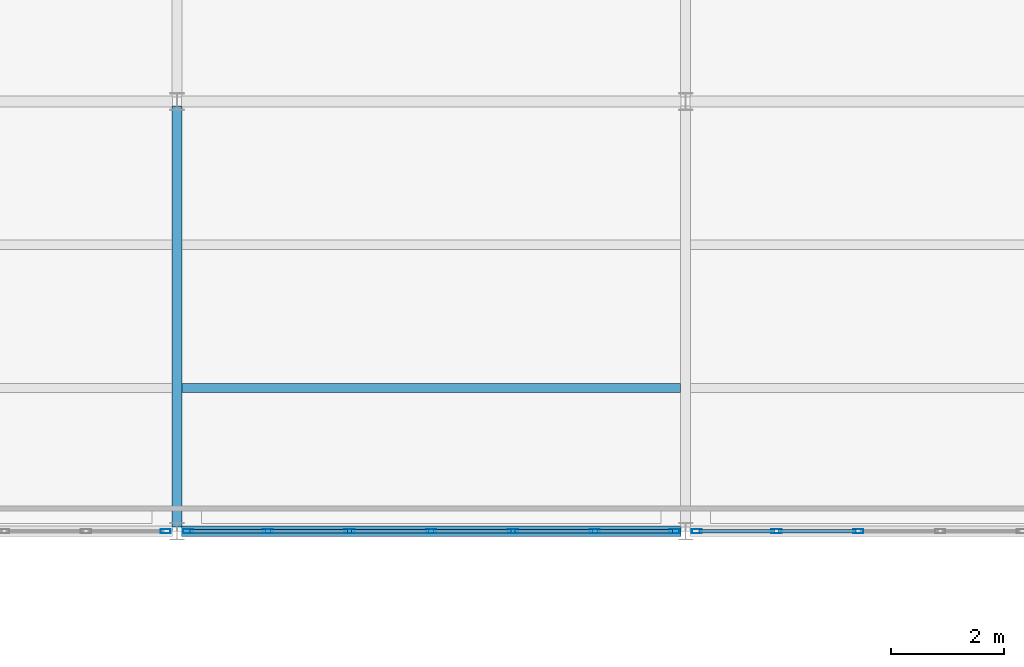
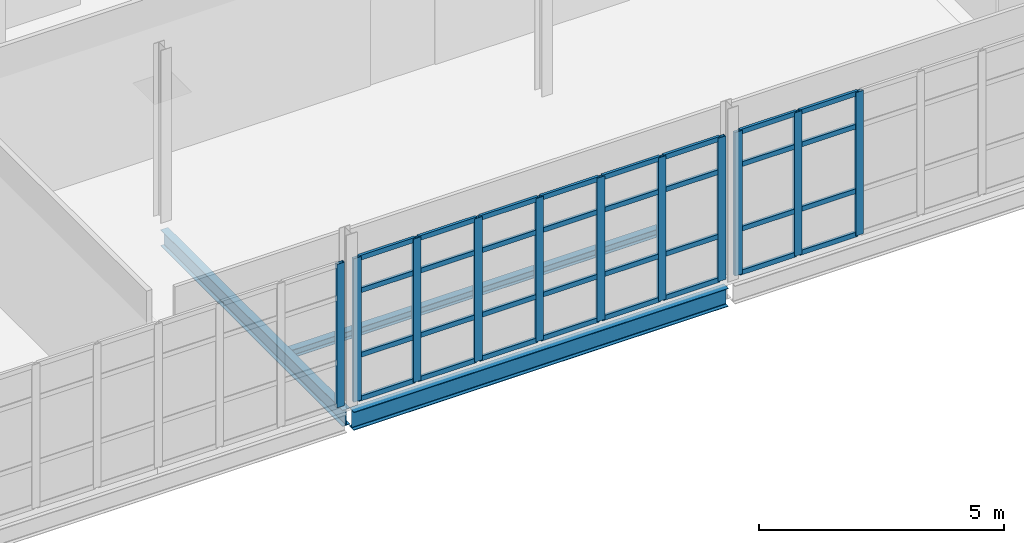
# One storey, part 86 of 174: 43 members, 3 beams, 3 elements without a shape of their own.
"""IFC4 building model written with IfcOpenShell, lengths in metres."""

from ifc_helpers import new_model, si_unit, direction, frame, origin, origin_2d, place, context, subcontext, project, spatial, hollow_rectangle, i_section, extrude, material, material_profile, profile_set, type_object, element, aggregate, save


model = new_model("IFC4")

# Units and contexts
model_context = context("Model", 3, precision=1e-05, world=origin(), true_north=direction((0.0, 1.0)))
body_context = subcontext(model_context, "Body", "Model", "MODEL_VIEW")
ifc_project = project(units=[si_unit("LENGTHUNIT", "METRE"), si_unit("AREAUNIT", "SQUARE_METRE"), si_unit("VOLUMEUNIT", "CUBIC_METRE"), si_unit("PLANEANGLEUNIT", "RADIAN"), si_unit("MASSUNIT", "GRAM", prefix="KILO")], contexts=[model_context])

# Site, building, storey
site_placement = place(None, origin())
site = spatial("IfcSite", under=ifc_project, at=site_placement, CompositionType="ELEMENT")
building_placement = place(site_placement, origin())
building = spatial("IfcBuilding", under=site, at=building_placement, Name="Caisbarro Railhouse Central Library", CompositionType="ELEMENT")
storey_placement = place(building_placement, frame((0.0, 0.0, 5.0400390625)))
storey = spatial("IfcBuildingStorey", under=building, at=storey_placement, Name="L01", CompositionType="ELEMENT", Elevation=5.0400390625)

# Beams
ifc_material_1 = material(Name="Steel ASTM A572 Grade 50", Category="steel")
ifc_material_profile_1 = material_profile(ifc_material_1, i_section(OverallWidth=0.177978515625, OverallDepth=0.406982421875, WebThickness=0.0078125, FlangeThickness=0.0126953125, FilletRadius=0.01611328125, at=origin_2d()), Name="W410X60.0")
ifc_profile_set_1 = profile_set([ifc_material_profile_1], Name="Steel ASTM A572 Grade 50")
beam_type_1 = type_object("IfcBeamType", Name="BM-G10", PredefinedType="BEAM", material=ifc_profile_set_1)
beam_1_placement = place(storey_placement, frame((81.0, 83.679931640625, -0.403564453125), z_axis=(0.0, 1.0, 0.0), x_axis=(-1.0, 0.0, 0.0)))
element("IfcBeam", 1, at=beam_1_placement, inside=storey, type_object=beam_type_1, Name="G10 beam L01 #1196", PredefinedType="BEAM", context=body_context, shape_type="SweptSolid", body=[
    extrude(i_section(OverallWidth=0.177978515625, OverallDepth=0.406982421875, WebThickness=0.0078125, FlangeThickness=0.0126953125, FilletRadius=0.01611328125, at=origin_2d()), origin(), (0.0, 0.0, 1.0), 7.440185546875),
])
ifc_material_profile_2 = material_profile(ifc_material_1, i_section(OverallWidth=0.1650390625, OverallDepth=0.200927734375, WebThickness=0.006103515625, FlangeThickness=0.01025390625, FilletRadius=0.010009765625, at=origin_2d()), Name="W200X35.9")
ifc_profile_set_2 = profile_set([ifc_material_profile_2], Name="Steel ASTM A572 Grade 50")
beam_type_2 = type_object("IfcBeamType", Name="BM-J06", PredefinedType="JOIST", material=ifc_profile_set_2)
beam_2_placement = place(storey_placement, frame((81.089111328125, 86.13330078125, -0.300537109375), z_axis=(1.0, 0.0, 0.0), x_axis=(0.0, 1.0, 0.0)))
element("IfcBeam", 2, at=beam_2_placement, inside=storey, type_object=beam_type_2, Name="J06 beam L01 #1232", PredefinedType="JOIST", context=body_context, shape_type="SweptSolid", body=[
    extrude(i_section(OverallWidth=0.1650390625, OverallDepth=0.200927734375, WebThickness=0.006103515625, FlangeThickness=0.01025390625, FilletRadius=0.010009765625, at=origin_2d()), origin(), (0.0, 0.0, 1.0), 8.82177734375),
])
ifc_material_profile_3 = material_profile(ifc_material_1, i_section(OverallWidth=0.18994140625, OverallDepth=0.45703125, WebThickness=0.009033203125, FlangeThickness=0.014404296875, FilletRadius=0.01806640625, at=origin_2d()), Name="W460X74.0")
ifc_profile_set_3 = profile_set([ifc_material_profile_3], Name="Steel ASTM A572 Grade 50")
beam_type_3 = type_object("IfcBeamType", Name="BM-SP01", PredefinedType="SPANDREL", material=ifc_profile_set_3)
beam_3_placement = place(storey_placement, frame((81.080078125, 83.60009765625, -0.428466796875), z_axis=(1.0, 0.0, 0.0), x_axis=(0.0, 1.0, 0.0)))
element("IfcBeam", 3, at=beam_3_placement, inside=storey, type_object=beam_type_3, Name="SP01 beam L01 #1162", PredefinedType="SPANDREL", context=body_context, shape_type="SweptSolid", body=[
    extrude(i_section(OverallWidth=0.18994140625, OverallDepth=0.45703125, WebThickness=0.009033203125, FlangeThickness=0.014404296875, FilletRadius=0.01806640625, at=origin_2d()), origin(), (0.0, 0.0, 1.0), 8.83984375),
])

# Curtain wall, member
ifc_material_2 = material(Name="Anodised architectural aluminium", Category="aluminium")
curtain_wall_type = type_object("IfcCurtainWallType", Name="CW-CW02", PredefinedType="NOTDEFINED", material=ifc_material_2)
curtain_wall_1_placement = place(storey_placement, origin())
curtain_wall_1 = element("IfcCurtainWall", 4, at=curtain_wall_1_placement, inside=storey, type_object=curtain_wall_type, Name="CW02 curtain wall L01 #174", PredefinedType="NOTDEFINED")
ifc_material_profile_4 = material_profile(ifc_material_2, hollow_rectangle(XDim=0.074951171875, YDim=0.179931640625, WallThickness=0.00439453125, at=origin_2d()), Name="ALU-MUL-75X180")
ifc_profile_set_4 = profile_set([ifc_material_profile_4], Name="Anodised architectural aluminium")
member_type_1 = type_object("IfcMemberType", Name="CWM-M01", PredefinedType="MULLION", material=ifc_profile_set_4)
member_1_placement = place(storey_placement, frame((80.802490234375, 83.60009765625, 0.0), z_axis=(0.0, 0.0, 1.0), x_axis=(0.0, 1.0, 0.0)))
member_1 = element("IfcMember", 5, at=member_1_placement, type_object=member_type_1, Name="CW02 mullion 7", PredefinedType="MULLION", context=body_context, shape_type="SweptSolid", body=[
    extrude(hollow_rectangle(XDim=0.074951171875, YDim=0.179931640625, WallThickness=0.00439453125, at=origin_2d()), origin(), (0.0, 0.0, 1.0), 3.580078125),
])
aggregate(curtain_wall_1, [member_1])

# Curtain wall, members
curtain_wall_2_placement = place(storey_placement, origin())
curtain_wall_2 = element("IfcCurtainWall", 6, at=curtain_wall_2_placement, inside=storey, type_object=curtain_wall_type, Name="CW02 curtain wall L01 #176", PredefinedType="NOTDEFINED")
member_2_placement = place(storey_placement, frame((81.197509765625, 83.60009765625, 0.0), z_axis=(0.0, 0.0, 1.0), x_axis=(0.0, 1.0, 0.0)))
member_2 = element("IfcMember", 7, at=member_2_placement, type_object=member_type_1, Name="CW02 mullion 1", PredefinedType="MULLION", context=body_context, shape_type="SweptSolid", body=[
    extrude(hollow_rectangle(XDim=0.074951171875, YDim=0.179931640625, WallThickness=0.00439453125, at=origin_2d()), origin(), (0.0, 0.0, 1.0), 3.580078125),
])
member_3_placement = place(storey_placement, frame((82.606689453125, 83.60009765625, 0.0), z_axis=(0.0, 0.0, 1.0), x_axis=(0.0, 1.0, 0.0)))
member_3 = element("IfcMember", 8, at=member_3_placement, type_object=member_type_1, Name="CW02 mullion 2", PredefinedType="MULLION", context=body_context, shape_type="SweptSolid", body=[
    extrude(hollow_rectangle(XDim=0.074951171875, YDim=0.179931640625, WallThickness=0.00439453125, at=origin_2d()), origin(), (0.0, 0.0, 1.0), 3.580078125),
])
member_4_placement = place(storey_placement, frame((84.05322265625, 83.60009765625, 0.0), z_axis=(0.0, 0.0, 1.0), x_axis=(0.0, 1.0, 0.0)))
member_4 = element("IfcMember", 9, at=member_4_placement, type_object=member_type_1, Name="CW02 mullion 3", PredefinedType="MULLION", context=body_context, shape_type="SweptSolid", body=[
    extrude(hollow_rectangle(XDim=0.074951171875, YDim=0.179931640625, WallThickness=0.00439453125, at=origin_2d()), origin(), (0.0, 0.0, 1.0), 3.580078125),
])
member_5_placement = place(storey_placement, frame((85.5, 83.60009765625, 0.0), z_axis=(0.0, 0.0, 1.0), x_axis=(0.0, 1.0, 0.0)))
member_5 = element("IfcMember", 10, at=member_5_placement, type_object=member_type_1, Name="CW02 mullion 4", PredefinedType="MULLION", context=body_context, shape_type="SweptSolid", body=[
    extrude(hollow_rectangle(XDim=0.074951171875, YDim=0.179931640625, WallThickness=0.00439453125, at=origin_2d()), origin(), (0.0, 0.0, 1.0), 3.580078125),
])
member_6_placement = place(storey_placement, frame((86.94677734375, 83.60009765625, 0.0), z_axis=(0.0, 0.0, 1.0), x_axis=(0.0, 1.0, 0.0)))
member_6 = element("IfcMember", 11, at=member_6_placement, type_object=member_type_1, Name="CW02 mullion 5", PredefinedType="MULLION", context=body_context, shape_type="SweptSolid", body=[
    extrude(hollow_rectangle(XDim=0.074951171875, YDim=0.179931640625, WallThickness=0.00439453125, at=origin_2d()), origin(), (0.0, 0.0, 1.0), 3.580078125),
])
member_7_placement = place(storey_placement, frame((88.393310546875, 83.60009765625, 0.0), z_axis=(0.0, 0.0, 1.0), x_axis=(0.0, 1.0, 0.0)))
member_7 = element("IfcMember", 12, at=member_7_placement, type_object=member_type_1, Name="CW02 mullion 6", PredefinedType="MULLION", context=body_context, shape_type="SweptSolid", body=[
    extrude(hollow_rectangle(XDim=0.074951171875, YDim=0.179931640625, WallThickness=0.00439453125, at=origin_2d()), origin(), (0.0, 0.0, 1.0), 3.580078125),
])
member_8_placement = place(storey_placement, frame((89.802490234375, 83.60009765625, 0.0), z_axis=(0.0, 0.0, 1.0), x_axis=(0.0, 1.0, 0.0)))
member_8 = element("IfcMember", 13, at=member_8_placement, type_object=member_type_1, Name="CW02 mullion 7", PredefinedType="MULLION", context=body_context, shape_type="SweptSolid", body=[
    extrude(hollow_rectangle(XDim=0.074951171875, YDim=0.179931640625, WallThickness=0.00439453125, at=origin_2d()), origin(), (0.0, 0.0, 1.0), 3.580078125),
])

curtain_wall_3_placement = place(storey_placement, origin())
curtain_wall_3 = element("IfcCurtainWall", 14, at=curtain_wall_3_placement, inside=storey, type_object=curtain_wall_type, Name="CW02 curtain wall L01 #178", PredefinedType="NOTDEFINED")
member_9_placement = place(storey_placement, frame((90.197509765625, 83.60009765625, 0.0), z_axis=(0.0, 0.0, 1.0), x_axis=(0.0, 1.0, 0.0)))
member_9 = element("IfcMember", 15, at=member_9_placement, type_object=member_type_1, Name="CW02 mullion 1", PredefinedType="MULLION", context=body_context, shape_type="SweptSolid", body=[
    extrude(hollow_rectangle(XDim=0.074951171875, YDim=0.179931640625, WallThickness=0.00439453125, at=origin_2d()), origin(), (0.0, 0.0, 1.0), 3.580078125),
])
member_10_placement = place(storey_placement, frame((91.606689453125, 83.60009765625, 0.0), z_axis=(0.0, 0.0, 1.0), x_axis=(0.0, 1.0, 0.0)))
member_10 = element("IfcMember", 16, at=member_10_placement, type_object=member_type_1, Name="CW02 mullion 2", PredefinedType="MULLION", context=body_context, shape_type="SweptSolid", body=[
    extrude(hollow_rectangle(XDim=0.074951171875, YDim=0.179931640625, WallThickness=0.00439453125, at=origin_2d()), origin(), (0.0, 0.0, 1.0), 3.580078125),
])
member_11_placement = place(storey_placement, frame((93.05322265625, 83.60009765625, 0.0), z_axis=(0.0, 0.0, 1.0), x_axis=(0.0, 1.0, 0.0)))
member_11 = element("IfcMember", 17, at=member_11_placement, type_object=member_type_1, Name="CW02 mullion 3", PredefinedType="MULLION", context=body_context, shape_type="SweptSolid", body=[
    extrude(hollow_rectangle(XDim=0.074951171875, YDim=0.179931640625, WallThickness=0.00439453125, at=origin_2d()), origin(), (0.0, 0.0, 1.0), 3.580078125),
])

# Member
ifc_material_profile_5 = material_profile(ifc_material_2, hollow_rectangle(XDim=0.06494140625, YDim=0.1201171875, WallThickness=0.00341796875, at=origin_2d()), Name="ALU-TRN-65X120")
ifc_profile_set_5 = profile_set([ifc_material_profile_5], Name="Anodised architectural aluminium")
member_type_2 = type_object("IfcMemberType", Name="CWT-T02", PredefinedType="USERDEFINED", material=ifc_profile_set_5)
member_12_placement = place(storey_placement, frame((81.235107421875, 83.60009765625, 0.032470703125), z_axis=(1.0, 0.0, 0.0), x_axis=(0.0, 1.0, 0.0)))
member_12 = element("IfcMember", 18, at=member_12_placement, type_object=member_type_2, Name="CW02 transom 1.1", ObjectType="TRANSOM", PredefinedType="USERDEFINED", context=body_context, shape_type="SweptSolid", body=[
    extrude(hollow_rectangle(XDim=0.06494140625, YDim=0.1201171875, WallThickness=0.00341796875, at=origin_2d()), origin(), (0.0, 0.0, 1.0), 1.333984375),
])

member_13_placement = place(storey_placement, frame((81.235107421875, 83.60009765625, 1.119873046875), z_axis=(1.0, 0.0, 0.0), x_axis=(0.0, 1.0, 0.0)))
member_13 = element("IfcMember", 19, at=member_13_placement, type_object=member_type_2, Name="CW02 transom 1.2", ObjectType="TRANSOM", PredefinedType="USERDEFINED", context=body_context, shape_type="SweptSolid", body=[
    extrude(hollow_rectangle(XDim=0.06494140625, YDim=0.1201171875, WallThickness=0.00341796875, at=origin_2d()), origin(), (0.0, 0.0, 1.0), 1.333984375),
])

member_14_placement = place(storey_placement, frame((81.235107421875, 83.60009765625, 2.72998046875), z_axis=(1.0, 0.0, 0.0), x_axis=(0.0, 1.0, 0.0)))
member_14 = element("IfcMember", 20, at=member_14_placement, type_object=member_type_2, Name="CW02 transom 1.3", ObjectType="TRANSOM", PredefinedType="USERDEFINED", context=body_context, shape_type="SweptSolid", body=[
    extrude(hollow_rectangle(XDim=0.06494140625, YDim=0.1201171875, WallThickness=0.00341796875, at=origin_2d()), origin(), (0.0, 0.0, 1.0), 1.333984375),
])

member_15_placement = place(storey_placement, frame((81.235107421875, 83.60009765625, 3.54736328125), z_axis=(1.0, 0.0, 0.0), x_axis=(0.0, 1.0, 0.0)))
member_15 = element("IfcMember", 21, at=member_15_placement, type_object=member_type_2, Name="CW02 transom 1.4", ObjectType="TRANSOM", PredefinedType="USERDEFINED", context=body_context, shape_type="SweptSolid", body=[
    extrude(hollow_rectangle(XDim=0.06494140625, YDim=0.1201171875, WallThickness=0.00341796875, at=origin_2d()), origin(), (0.0, 0.0, 1.0), 1.333984375),
])

member_16_placement = place(storey_placement, frame((82.644287109375, 83.60009765625, 0.032470703125), z_axis=(1.0, 0.0, 0.0), x_axis=(0.0, 1.0, 0.0)))
member_16 = element("IfcMember", 22, at=member_16_placement, type_object=member_type_2, Name="CW02 transom 2.1", ObjectType="TRANSOM", PredefinedType="USERDEFINED", context=body_context, shape_type="SweptSolid", body=[
    extrude(hollow_rectangle(XDim=0.06494140625, YDim=0.1201171875, WallThickness=0.00341796875, at=origin_2d()), origin(), (0.0, 0.0, 1.0), 1.37158203125),
])

member_17_placement = place(storey_placement, frame((82.644287109375, 83.60009765625, 1.119873046875), z_axis=(1.0, 0.0, 0.0), x_axis=(0.0, 1.0, 0.0)))
member_17 = element("IfcMember", 23, at=member_17_placement, type_object=member_type_2, Name="CW02 transom 2.2", ObjectType="TRANSOM", PredefinedType="USERDEFINED", context=body_context, shape_type="SweptSolid", body=[
    extrude(hollow_rectangle(XDim=0.06494140625, YDim=0.1201171875, WallThickness=0.00341796875, at=origin_2d()), origin(), (0.0, 0.0, 1.0), 1.37158203125),
])

member_18_placement = place(storey_placement, frame((82.644287109375, 83.60009765625, 2.72998046875), z_axis=(1.0, 0.0, 0.0), x_axis=(0.0, 1.0, 0.0)))
member_18 = element("IfcMember", 24, at=member_18_placement, type_object=member_type_2, Name="CW02 transom 2.3", ObjectType="TRANSOM", PredefinedType="USERDEFINED", context=body_context, shape_type="SweptSolid", body=[
    extrude(hollow_rectangle(XDim=0.06494140625, YDim=0.1201171875, WallThickness=0.00341796875, at=origin_2d()), origin(), (0.0, 0.0, 1.0), 1.37158203125),
])

member_19_placement = place(storey_placement, frame((82.644287109375, 83.60009765625, 3.54736328125), z_axis=(1.0, 0.0, 0.0), x_axis=(0.0, 1.0, 0.0)))
member_19 = element("IfcMember", 25, at=member_19_placement, type_object=member_type_2, Name="CW02 transom 2.4", ObjectType="TRANSOM", PredefinedType="USERDEFINED", context=body_context, shape_type="SweptSolid", body=[
    extrude(hollow_rectangle(XDim=0.06494140625, YDim=0.1201171875, WallThickness=0.00341796875, at=origin_2d()), origin(), (0.0, 0.0, 1.0), 1.37158203125),
])

member_20_placement = place(storey_placement, frame((84.0908203125, 83.60009765625, 0.032470703125), z_axis=(1.0, 0.0, 0.0), x_axis=(0.0, 1.0, 0.0)))
member_20 = element("IfcMember", 26, at=member_20_placement, type_object=member_type_2, Name="CW02 transom 3.1", ObjectType="TRANSOM", PredefinedType="USERDEFINED", context=body_context, shape_type="SweptSolid", body=[
    extrude(hollow_rectangle(XDim=0.06494140625, YDim=0.1201171875, WallThickness=0.00341796875, at=origin_2d()), origin(), (0.0, 0.0, 1.0), 1.37158203125),
])

member_21_placement = place(storey_placement, frame((84.0908203125, 83.60009765625, 1.119873046875), z_axis=(1.0, 0.0, 0.0), x_axis=(0.0, 1.0, 0.0)))
member_21 = element("IfcMember", 27, at=member_21_placement, type_object=member_type_2, Name="CW02 transom 3.2", ObjectType="TRANSOM", PredefinedType="USERDEFINED", context=body_context, shape_type="SweptSolid", body=[
    extrude(hollow_rectangle(XDim=0.06494140625, YDim=0.1201171875, WallThickness=0.00341796875, at=origin_2d()), origin(), (0.0, 0.0, 1.0), 1.37158203125),
])

member_22_placement = place(storey_placement, frame((84.0908203125, 83.60009765625, 2.72998046875), z_axis=(1.0, 0.0, 0.0), x_axis=(0.0, 1.0, 0.0)))
member_22 = element("IfcMember", 28, at=member_22_placement, type_object=member_type_2, Name="CW02 transom 3.3", ObjectType="TRANSOM", PredefinedType="USERDEFINED", context=body_context, shape_type="SweptSolid", body=[
    extrude(hollow_rectangle(XDim=0.06494140625, YDim=0.1201171875, WallThickness=0.00341796875, at=origin_2d()), origin(), (0.0, 0.0, 1.0), 1.37158203125),
])

member_23_placement = place(storey_placement, frame((84.0908203125, 83.60009765625, 3.54736328125), z_axis=(1.0, 0.0, 0.0), x_axis=(0.0, 1.0, 0.0)))
member_23 = element("IfcMember", 29, at=member_23_placement, type_object=member_type_2, Name="CW02 transom 3.4", ObjectType="TRANSOM", PredefinedType="USERDEFINED", context=body_context, shape_type="SweptSolid", body=[
    extrude(hollow_rectangle(XDim=0.06494140625, YDim=0.1201171875, WallThickness=0.00341796875, at=origin_2d()), origin(), (0.0, 0.0, 1.0), 1.37158203125),
])

member_24_placement = place(storey_placement, frame((85.53759765625, 83.60009765625, 0.032470703125), z_axis=(1.0, 0.0, 0.0), x_axis=(0.0, 1.0, 0.0)))
member_24 = element("IfcMember", 30, at=member_24_placement, type_object=member_type_2, Name="CW02 transom 4.1", ObjectType="TRANSOM", PredefinedType="USERDEFINED", context=body_context, shape_type="SweptSolid", body=[
    extrude(hollow_rectangle(XDim=0.06494140625, YDim=0.1201171875, WallThickness=0.00341796875, at=origin_2d()), origin(), (0.0, 0.0, 1.0), 1.37158203125),
])

member_25_placement = place(storey_placement, frame((85.53759765625, 83.60009765625, 1.119873046875), z_axis=(1.0, 0.0, 0.0), x_axis=(0.0, 1.0, 0.0)))
member_25 = element("IfcMember", 31, at=member_25_placement, type_object=member_type_2, Name="CW02 transom 4.2", ObjectType="TRANSOM", PredefinedType="USERDEFINED", context=body_context, shape_type="SweptSolid", body=[
    extrude(hollow_rectangle(XDim=0.06494140625, YDim=0.1201171875, WallThickness=0.00341796875, at=origin_2d()), origin(), (0.0, 0.0, 1.0), 1.37158203125),
])

member_26_placement = place(storey_placement, frame((85.53759765625, 83.60009765625, 2.72998046875), z_axis=(1.0, 0.0, 0.0), x_axis=(0.0, 1.0, 0.0)))
member_26 = element("IfcMember", 32, at=member_26_placement, type_object=member_type_2, Name="CW02 transom 4.3", ObjectType="TRANSOM", PredefinedType="USERDEFINED", context=body_context, shape_type="SweptSolid", body=[
    extrude(hollow_rectangle(XDim=0.06494140625, YDim=0.1201171875, WallThickness=0.00341796875, at=origin_2d()), origin(), (0.0, 0.0, 1.0), 1.37158203125),
])

member_27_placement = place(storey_placement, frame((85.53759765625, 83.60009765625, 3.54736328125), z_axis=(1.0, 0.0, 0.0), x_axis=(0.0, 1.0, 0.0)))
member_27 = element("IfcMember", 33, at=member_27_placement, type_object=member_type_2, Name="CW02 transom 4.4", ObjectType="TRANSOM", PredefinedType="USERDEFINED", context=body_context, shape_type="SweptSolid", body=[
    extrude(hollow_rectangle(XDim=0.06494140625, YDim=0.1201171875, WallThickness=0.00341796875, at=origin_2d()), origin(), (0.0, 0.0, 1.0), 1.37158203125),
])

member_28_placement = place(storey_placement, frame((86.984130859375, 83.60009765625, 0.032470703125), z_axis=(1.0, 0.0, 0.0), x_axis=(0.0, 1.0, 0.0)))
member_28 = element("IfcMember", 34, at=member_28_placement, type_object=member_type_2, Name="CW02 transom 5.1", ObjectType="TRANSOM", PredefinedType="USERDEFINED", context=body_context, shape_type="SweptSolid", body=[
    extrude(hollow_rectangle(XDim=0.06494140625, YDim=0.1201171875, WallThickness=0.00341796875, at=origin_2d()), origin(), (0.0, 0.0, 1.0), 1.37158203125),
])

member_29_placement = place(storey_placement, frame((86.984130859375, 83.60009765625, 1.119873046875), z_axis=(1.0, 0.0, 0.0), x_axis=(0.0, 1.0, 0.0)))
member_29 = element("IfcMember", 35, at=member_29_placement, type_object=member_type_2, Name="CW02 transom 5.2", ObjectType="TRANSOM", PredefinedType="USERDEFINED", context=body_context, shape_type="SweptSolid", body=[
    extrude(hollow_rectangle(XDim=0.06494140625, YDim=0.1201171875, WallThickness=0.00341796875, at=origin_2d()), origin(), (0.0, 0.0, 1.0), 1.37158203125),
])

member_30_placement = place(storey_placement, frame((86.984130859375, 83.60009765625, 2.72998046875), z_axis=(1.0, 0.0, 0.0), x_axis=(0.0, 1.0, 0.0)))
member_30 = element("IfcMember", 36, at=member_30_placement, type_object=member_type_2, Name="CW02 transom 5.3", ObjectType="TRANSOM", PredefinedType="USERDEFINED", context=body_context, shape_type="SweptSolid", body=[
    extrude(hollow_rectangle(XDim=0.06494140625, YDim=0.1201171875, WallThickness=0.00341796875, at=origin_2d()), origin(), (0.0, 0.0, 1.0), 1.37158203125),
])

member_31_placement = place(storey_placement, frame((86.984130859375, 83.60009765625, 3.54736328125), z_axis=(1.0, 0.0, 0.0), x_axis=(0.0, 1.0, 0.0)))
member_31 = element("IfcMember", 37, at=member_31_placement, type_object=member_type_2, Name="CW02 transom 5.4", ObjectType="TRANSOM", PredefinedType="USERDEFINED", context=body_context, shape_type="SweptSolid", body=[
    extrude(hollow_rectangle(XDim=0.06494140625, YDim=0.1201171875, WallThickness=0.00341796875, at=origin_2d()), origin(), (0.0, 0.0, 1.0), 1.37158203125),
])

member_32_placement = place(storey_placement, frame((88.430908203125, 83.60009765625, 0.032470703125), z_axis=(1.0, 0.0, 0.0), x_axis=(0.0, 1.0, 0.0)))
member_32 = element("IfcMember", 38, at=member_32_placement, type_object=member_type_2, Name="CW02 transom 6.1", ObjectType="TRANSOM", PredefinedType="USERDEFINED", context=body_context, shape_type="SweptSolid", body=[
    extrude(hollow_rectangle(XDim=0.06494140625, YDim=0.1201171875, WallThickness=0.00341796875, at=origin_2d()), origin(), (0.0, 0.0, 1.0), 1.333984375),
])

member_33_placement = place(storey_placement, frame((88.430908203125, 83.60009765625, 1.119873046875), z_axis=(1.0, 0.0, 0.0), x_axis=(0.0, 1.0, 0.0)))
member_33 = element("IfcMember", 39, at=member_33_placement, type_object=member_type_2, Name="CW02 transom 6.2", ObjectType="TRANSOM", PredefinedType="USERDEFINED", context=body_context, shape_type="SweptSolid", body=[
    extrude(hollow_rectangle(XDim=0.06494140625, YDim=0.1201171875, WallThickness=0.00341796875, at=origin_2d()), origin(), (0.0, 0.0, 1.0), 1.333984375),
])

member_34_placement = place(storey_placement, frame((88.430908203125, 83.60009765625, 2.72998046875), z_axis=(1.0, 0.0, 0.0), x_axis=(0.0, 1.0, 0.0)))
member_34 = element("IfcMember", 40, at=member_34_placement, type_object=member_type_2, Name="CW02 transom 6.3", ObjectType="TRANSOM", PredefinedType="USERDEFINED", context=body_context, shape_type="SweptSolid", body=[
    extrude(hollow_rectangle(XDim=0.06494140625, YDim=0.1201171875, WallThickness=0.00341796875, at=origin_2d()), origin(), (0.0, 0.0, 1.0), 1.333984375),
])

member_35_placement = place(storey_placement, frame((88.430908203125, 83.60009765625, 3.54736328125), z_axis=(1.0, 0.0, 0.0), x_axis=(0.0, 1.0, 0.0)))
member_35 = element("IfcMember", 41, at=member_35_placement, type_object=member_type_2, Name="CW02 transom 6.4", ObjectType="TRANSOM", PredefinedType="USERDEFINED", context=body_context, shape_type="SweptSolid", body=[
    extrude(hollow_rectangle(XDim=0.06494140625, YDim=0.1201171875, WallThickness=0.00341796875, at=origin_2d()), origin(), (0.0, 0.0, 1.0), 1.333984375),
])

aggregate(curtain_wall_2, [member_2, member_3, member_4, member_5, member_6, member_7, member_8, member_12, member_13, member_14, member_15, member_16, member_17, member_18, member_19, member_20, member_21, member_22, member_23, member_24, member_25, member_26, member_27, member_28, member_29, member_30, member_31, member_32, member_33, member_34, member_35])

member_36_placement = place(storey_placement, frame((90.235107421875, 83.60009765625, 0.032470703125), z_axis=(1.0, 0.0, 0.0), x_axis=(0.0, 1.0, 0.0)))
member_36 = element("IfcMember", 42, at=member_36_placement, type_object=member_type_2, Name="CW02 transom 1.1", ObjectType="TRANSOM", PredefinedType="USERDEFINED", context=body_context, shape_type="SweptSolid", body=[
    extrude(hollow_rectangle(XDim=0.06494140625, YDim=0.1201171875, WallThickness=0.00341796875, at=origin_2d()), origin(), (0.0, 0.0, 1.0), 1.333984375),
])

member_37_placement = place(storey_placement, frame((90.235107421875, 83.60009765625, 1.119873046875), z_axis=(1.0, 0.0, 0.0), x_axis=(0.0, 1.0, 0.0)))
member_37 = element("IfcMember", 43, at=member_37_placement, type_object=member_type_2, Name="CW02 transom 1.2", ObjectType="TRANSOM", PredefinedType="USERDEFINED", context=body_context, shape_type="SweptSolid", body=[
    extrude(hollow_rectangle(XDim=0.06494140625, YDim=0.1201171875, WallThickness=0.00341796875, at=origin_2d()), origin(), (0.0, 0.0, 1.0), 1.333984375),
])

member_38_placement = place(storey_placement, frame((90.235107421875, 83.60009765625, 2.72998046875), z_axis=(1.0, 0.0, 0.0), x_axis=(0.0, 1.0, 0.0)))
member_38 = element("IfcMember", 44, at=member_38_placement, type_object=member_type_2, Name="CW02 transom 1.3", ObjectType="TRANSOM", PredefinedType="USERDEFINED", context=body_context, shape_type="SweptSolid", body=[
    extrude(hollow_rectangle(XDim=0.06494140625, YDim=0.1201171875, WallThickness=0.00341796875, at=origin_2d()), origin(), (0.0, 0.0, 1.0), 1.333984375),
])

member_39_placement = place(storey_placement, frame((90.235107421875, 83.60009765625, 3.54736328125), z_axis=(1.0, 0.0, 0.0), x_axis=(0.0, 1.0, 0.0)))
member_39 = element("IfcMember", 45, at=member_39_placement, type_object=member_type_2, Name="CW02 transom 1.4", ObjectType="TRANSOM", PredefinedType="USERDEFINED", context=body_context, shape_type="SweptSolid", body=[
    extrude(hollow_rectangle(XDim=0.06494140625, YDim=0.1201171875, WallThickness=0.00341796875, at=origin_2d()), origin(), (0.0, 0.0, 1.0), 1.333984375),
])

member_40_placement = place(storey_placement, frame((91.644287109375, 83.60009765625, 0.032470703125), z_axis=(1.0, 0.0, 0.0), x_axis=(0.0, 1.0, 0.0)))
member_40 = element("IfcMember", 46, at=member_40_placement, type_object=member_type_2, Name="CW02 transom 2.1", ObjectType="TRANSOM", PredefinedType="USERDEFINED", context=body_context, shape_type="SweptSolid", body=[
    extrude(hollow_rectangle(XDim=0.06494140625, YDim=0.1201171875, WallThickness=0.00341796875, at=origin_2d()), origin(), (0.0, 0.0, 1.0), 1.37158203125),
])

member_41_placement = place(storey_placement, frame((91.644287109375, 83.60009765625, 1.119873046875), z_axis=(1.0, 0.0, 0.0), x_axis=(0.0, 1.0, 0.0)))
member_41 = element("IfcMember", 47, at=member_41_placement, type_object=member_type_2, Name="CW02 transom 2.2", ObjectType="TRANSOM", PredefinedType="USERDEFINED", context=body_context, shape_type="SweptSolid", body=[
    extrude(hollow_rectangle(XDim=0.06494140625, YDim=0.1201171875, WallThickness=0.00341796875, at=origin_2d()), origin(), (0.0, 0.0, 1.0), 1.37158203125),
])

member_42_placement = place(storey_placement, frame((91.644287109375, 83.60009765625, 2.72998046875), z_axis=(1.0, 0.0, 0.0), x_axis=(0.0, 1.0, 0.0)))
member_42 = element("IfcMember", 48, at=member_42_placement, type_object=member_type_2, Name="CW02 transom 2.3", ObjectType="TRANSOM", PredefinedType="USERDEFINED", context=body_context, shape_type="SweptSolid", body=[
    extrude(hollow_rectangle(XDim=0.06494140625, YDim=0.1201171875, WallThickness=0.00341796875, at=origin_2d()), origin(), (0.0, 0.0, 1.0), 1.37158203125),
])

member_43_placement = place(storey_placement, frame((91.644287109375, 83.60009765625, 3.54736328125), z_axis=(1.0, 0.0, 0.0), x_axis=(0.0, 1.0, 0.0)))
member_43 = element("IfcMember", 49, at=member_43_placement, type_object=member_type_2, Name="CW02 transom 2.4", ObjectType="TRANSOM", PredefinedType="USERDEFINED", context=body_context, shape_type="SweptSolid", body=[
    extrude(hollow_rectangle(XDim=0.06494140625, YDim=0.1201171875, WallThickness=0.00341796875, at=origin_2d()), origin(), (0.0, 0.0, 1.0), 1.37158203125),
])

aggregate(curtain_wall_3, [member_9, member_10, member_11, member_36, member_37, member_38, member_39, member_40, member_41, member_42, member_43])

save(model, "model.ifc")
